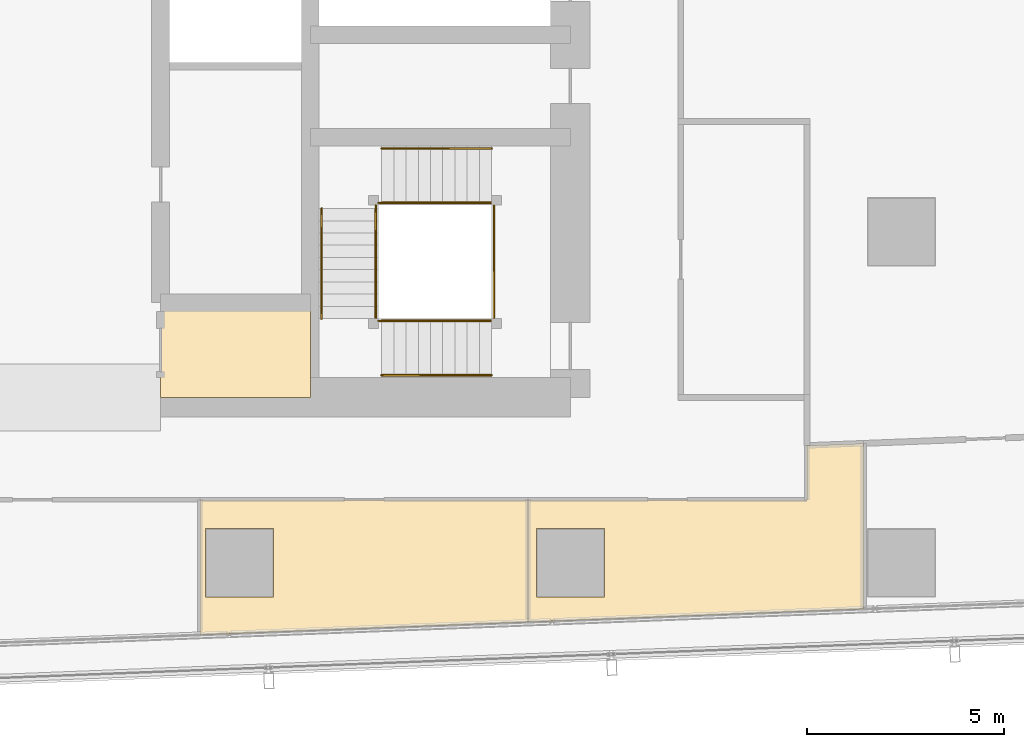
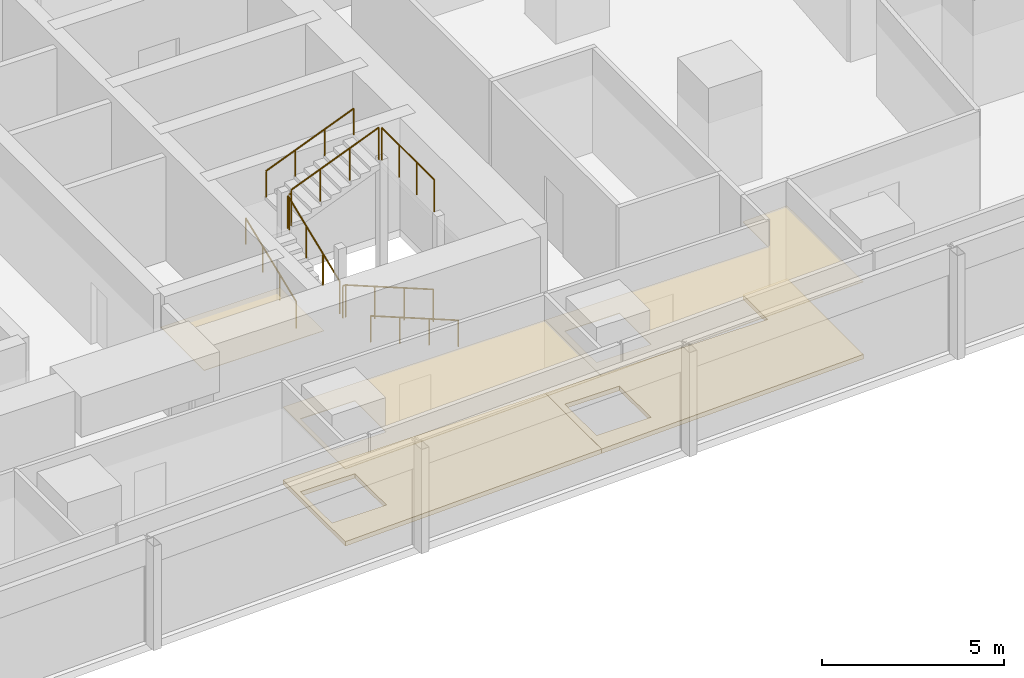
# One storey, part 37 of 40: 10 railings, 5 coverings.
"""IFC4 building model written with IfcOpenShell, lengths in metres."""

from ifc_helpers import new_model, si_unit, direction, frame, origin, origin_2d, place, context, subcontext, project, spatial, polyline, circle, outline, extrude, material, layer, layer_set, type_object, element, save


model = new_model("IFC4")

# Units and contexts
model_context = context("Model", 3, precision=1e-05, world=origin(), true_north=direction((0.0, 1.0)))
body_context = subcontext(model_context, "Body", "Model", "MODEL_VIEW")
ifc_project = project(units=[si_unit("LENGTHUNIT", "METRE"), si_unit("AREAUNIT", "SQUARE_METRE"), si_unit("VOLUMEUNIT", "CUBIC_METRE"), si_unit("PLANEANGLEUNIT", "RADIAN"), si_unit("MASSUNIT", "GRAM", prefix="KILO")], contexts=[model_context])

# Site, building, storey
site_placement = place(None, origin())
site = spatial("IfcSite", under=ifc_project, at=site_placement, CompositionType="ELEMENT")
building_placement = place(site_placement, origin())
building = spatial("IfcBuilding", under=site, at=building_placement, Name="Rekha Terrace Tower", CompositionType="ELEMENT")
storey_placement = place(building_placement, frame((0.0, 0.0, 125.300048828125)))
storey = spatial("IfcBuildingStorey", under=building, at=storey_placement, Name="L31", CompositionType="ELEMENT", Elevation=125.300048828125)

# Coverings
ifc_material_1 = material(Name="Mineral fibre tile in exposed grid", Category="finish")
ifc_layer_1 = layer(ifc_material_1, 0.02001953125)
ifc_layer_set_1 = layer_set([ifc_layer_1], Name="Mineral fibre tile in exposed grid")
covering_type_1 = type_object("IfcCoveringType", Name="CL1 600x1200 office grid ceiling", PredefinedType="CEILING", material=ifc_layer_set_1)
covering_1_placement = place(storey_placement, frame((0.0, 0.0, 2.579833984375)))
element("IfcCovering", 1, at=covering_1_placement, inside=storey, type_object=covering_type_1, Name="Ceiling L31-16", PredefinedType="CEILING", context=body_context, shape_type="SweptSolid", body=[
    extrude(outline(polyline([(41.001953125, 18.39990234375), (41.001953125, 14.970947265625), (49.3291015625, 15.294921875), (49.3291015625, 18.39990234375), (41.001953125, 18.39990234375)]), holes=[polyline([(42.864990234375, 17.6650390625), (42.864990234375, 15.93505859375), (41.135009765625, 15.93505859375), (41.135009765625, 17.6650390625), (42.864990234375, 17.6650390625)])]), origin(), (0.0, 0.0, 1.0), 0.02001953125),
])
covering_2_placement = place(storey_placement, frame((0.0, 0.0, 2.579833984375)))
element("IfcCovering", 2, at=covering_2_placement, inside=storey, type_object=covering_type_1, Name="Ceiling L31-17", PredefinedType="CEILING", context=body_context, shape_type="SweptSolid", body=[
    extrude(outline(polyline([(57.8359375, 15.6259765625), (57.8359375, 19.830078125), (56.39990234375, 19.77392578125), (56.39990234375, 18.39990234375), (49.330078125, 18.39990234375), (49.330078125, 15.294921875), (57.8359375, 15.6259765625)]), holes=[polyline([(51.264892578125, 15.93505859375), (49.534912109375, 15.93505859375), (49.534912109375, 17.6650390625), (51.264892578125, 17.6650390625), (51.264892578125, 15.93505859375)])]), origin(), (0.0, 0.0, 1.0), 0.02001953125),
])
ifc_material_2 = material(Name="Fibre cement board", Category="finish")
ifc_layer_2 = layer(ifc_material_2, 0.014892578125)
ifc_layer_set_2 = layer_set([ifc_layer_2], Name="Fibre cement board")
covering_type_2 = type_object("IfcCoveringType", Name="CL2 moisture-resistant board ceiling", PredefinedType="CEILING", material=ifc_layer_set_2)
covering_3_placement = place(storey_placement, frame((0.0, 0.0, 2.5849609375)))
element("IfcCovering", 3, at=covering_3_placement, inside=storey, type_object=covering_type_2, Name="Ceiling L31-WCA", PredefinedType="CEILING", context=body_context, shape_type="SweptSolid", body=[
    extrude(outline(polyline([(43.800048828125, 23.39990234375), (40.0, 23.39990234375), (40.0, 21.0), (43.800048828125, 21.0), (43.800048828125, 23.39990234375)])), origin(), (0.0, 0.0, 1.0), 0.014892578125),
])

# Railings
ifc_material_3 = material(Name="Stainless steel balustrade", Category="steel")
railing_type_1 = type_object("IfcRailingType", Name="GR1 1100 stair guard", PredefinedType="GUARDRAIL", material=ifc_material_3)
railing_1_placement = place(storey_placement, frame((48.39990234375, 22.93994140625, 0.125)))
element("IfcRailing", 4, at=railing_1_placement, inside=storey, type_object=railing_type_1, Name="Guard ST3 L31 flight 1", PredefinedType="GUARDRAIL", context=body_context, shape_type="SweptSolid", body=[
    extrude(circle(Radius=0.02392578125, at=origin_2d()), frame((0.0, 0.0, 1.076171875), z_axis=(-0.927431937212, 0.0, 0.373991980981), x_axis=(0.0, -1.0, 0.0)), (0.0, 0.0, 1.0), 3.008056640625),
    extrude(circle(Radius=0.02099609375, at=origin_2d()), origin(), (0.0, 0.0, 1.0), 1.052001953125),
    extrude(circle(Radius=0.02099609375, at=origin_2d()), frame((-0.929931640625, 0.0, 0.375)), (0.0, 0.0, 1.0), 1.052001953125),
    extrude(circle(Radius=0.02099609375, at=origin_2d()), frame((-1.85986328125, 0.0, 0.75)), (0.0, 0.0, 1.0), 1.052001953125),
    extrude(circle(Radius=0.02099609375, at=origin_2d()), frame((-2.789794921875, 0.0, 1.125)), (0.0, 0.0, 1.0), 1.052001953125),
])
railing_2_placement = place(storey_placement, frame((45.465087890625, 23.0, 1.375)))
element("IfcRailing", 5, at=railing_2_placement, inside=storey, type_object=railing_type_1, Name="Guard ST3 L31 flight 2", PredefinedType="GUARDRAIL", context=body_context, shape_type="SweptSolid", body=[
    extrude(circle(Radius=0.02392578125, at=origin_2d()), frame((0.0, 0.0, 1.076171875), z_axis=(0.0, 0.927443287984, 0.373963831907), x_axis=(-1.0, 0.0, 0.0)), (0.0, 0.0, 1.0), 3.00830078125),
    extrude(circle(Radius=0.02099609375, at=origin_2d()), origin(), (0.0, 0.0, 1.0), 1.052001953125),
    extrude(circle(Radius=0.02099609375, at=origin_2d()), frame((0.0, 0.929931640625, 0.375)), (0.0, 0.0, 1.0), 1.052001953125),
    extrude(circle(Radius=0.02099609375, at=origin_2d()), frame((0.0, 1.860107421875, 0.75)), (0.0, 0.0, 1.0), 1.052001953125),
    extrude(circle(Radius=0.02099609375, at=origin_2d()), frame((0.0, 2.7900390625, 1.125)), (0.0, 0.0, 1.0), 1.052001953125),
])
railing_3_placement = place(storey_placement, frame((45.610107421875, 25.93505859375, 2.625)))
element("IfcRailing", 6, at=railing_3_placement, inside=storey, type_object=railing_type_1, Name="Guard ST3 L31 flight 3", PredefinedType="GUARDRAIL", context=body_context, shape_type="SweptSolid", body=[
    extrude(circle(Radius=0.02392578125, at=origin_2d()), frame((0.0, 0.0, 1.076171875), z_axis=(0.927431937212, 0.0, 0.373991980981), x_axis=(0.0, 1.0, 0.0)), (0.0, 0.0, 1.0), 3.008056640625),
    extrude(circle(Radius=0.02099609375, at=origin_2d()), origin(), (0.0, 0.0, 1.0), 1.052001953125),
    extrude(circle(Radius=0.02099609375, at=origin_2d()), frame((0.929931640625, 0.0, 0.375)), (0.0, 0.0, 1.0), 1.052001953125),
    extrude(circle(Radius=0.02099609375, at=origin_2d()), frame((1.85986328125, 0.0, 0.75)), (0.0, 0.0, 1.0), 1.052001953125),
    extrude(circle(Radius=0.02099609375, at=origin_2d()), frame((2.789794921875, 0.0, 1.125)), (0.0, 0.0, 1.0), 1.052001953125),
])
railing_4_placement = place(storey_placement, frame((45.610107421875, 22.93994140625, 1.25)))
element("IfcRailing", 7, at=railing_4_placement, inside=storey, type_object=railing_type_1, Name="Guard ST3 L31 landing 1", PredefinedType="GUARDRAIL", context=body_context, shape_type="SweptSolid", body=[
    extrude(circle(Radius=0.02392578125, at=origin_2d()), frame((0.0, 0.0, 1.076171875), z_axis=(-1.0, 0.0, 0.0), x_axis=(0.0, -1.0, 0.0)), (0.0, 0.0, 1.0), 0.085205078125),
    extrude(circle(Radius=0.02099609375, at=origin_2d()), origin(), (0.0, 0.0, 1.0), 1.052001953125),
    extrude(circle(Radius=0.02099609375, at=origin_2d()), frame((-0.085205078125, 0.0, 0.0)), (0.0, 0.0, 1.0), 1.052001953125),
])
railing_5_placement = place(storey_placement, frame((45.465087890625, 25.7900390625, 2.5)))
element("IfcRailing", 8, at=railing_5_placement, inside=storey, type_object=railing_type_1, Name="Guard ST3 L31 landing 2", PredefinedType="GUARDRAIL", context=body_context, shape_type="SweptSolid", body=[
    extrude(circle(Radius=0.02392578125, at=origin_2d()), frame((0.0, 0.0, 1.076171875), z_axis=(0.0, 1.0, 0.0), x_axis=(-1.0, 0.0, 0.0)), (0.0, 0.0, 1.0), 0.0849609375),
    extrude(circle(Radius=0.02099609375, at=origin_2d()), origin(), (0.0, 0.0, 1.0), 1.052001953125),
    extrude(circle(Radius=0.02099609375, at=origin_2d()), frame((0.0, 0.0849609375, 0.0)), (0.0, 0.0, 1.0), 1.052001953125),
])
railing_6_placement = place(storey_placement, frame((45.610107421875, 25.93505859375, 2.5)))
element("IfcRailing", 9, at=railing_6_placement, inside=storey, type_object=railing_type_1, Name="Guard ST3 L31 landing 3", PredefinedType="GUARDRAIL", context=body_context, shape_type="SweptSolid", body=[
    extrude(circle(Radius=0.02392578125, at=origin_2d()), frame((0.0, 0.0, 1.076171875), z_axis=(-1.0, 0.0, 0.0), x_axis=(0.0, -1.0, 0.0)), (0.0, 0.0, 1.0), 0.085205078125),
    extrude(circle(Radius=0.02099609375, at=origin_2d()), origin(), (0.0, 0.0, 1.0), 1.052001953125),
    extrude(circle(Radius=0.02099609375, at=origin_2d()), frame((-0.085205078125, 0.0, 0.0)), (0.0, 0.0, 1.0), 1.052001953125),
])
railing_7_placement = place(storey_placement, frame((48.4599609375, 23.0, 3.75)))
element("IfcRailing", 10, at=railing_7_placement, inside=storey, type_object=railing_type_1, Name="Guard ST3 L31 landing 4", PredefinedType="GUARDRAIL", context=body_context, shape_type="SweptSolid", body=[
    extrude(circle(Radius=0.02392578125, at=origin_2d()), frame((0.0, 0.0, 1.076171875), z_axis=(0.0, 1.0, 0.0), x_axis=(-1.0, 0.0, 0.0)), (0.0, 0.0, 1.0), 2.875),
    extrude(circle(Radius=0.02099609375, at=origin_2d()), origin(), (0.0, 0.0, 1.0), 1.052001953125),
    extrude(circle(Radius=0.02099609375, at=origin_2d()), frame((0.0, 0.958251953125, 0.0)), (0.0, 0.0, 1.0), 1.052001953125),
    extrude(circle(Radius=0.02099609375, at=origin_2d()), frame((0.0, 1.916748046875, 0.0)), (0.0, 0.0, 1.0), 1.052001953125),
    extrude(circle(Radius=0.02099609375, at=origin_2d()), frame((0.0, 2.875, 0.0)), (0.0, 0.0, 1.0), 1.052001953125),
])
ifc_material_4 = material(Name="Stainless steel tube", Category="steel")
railing_type_2 = type_object("IfcRailingType", Name="HR1 900 stair handrail", PredefinedType="HANDRAIL", material=ifc_material_4)
railing_8_placement = place(storey_placement, frame((48.39990234375, 21.56005859375, 0.125)))
element("IfcRailing", 11, at=railing_8_placement, inside=storey, type_object=railing_type_2, Name="Handrail ST3 L31 flight 1", PredefinedType="HANDRAIL", context=body_context, shape_type="SweptSolid", body=[
    extrude(circle(Radius=0.02392578125, at=origin_2d()), frame((0.0, 0.0, 0.8759765625), z_axis=(-0.927431937212, 0.0, 0.373991980981), x_axis=(0.0, -1.0, 0.0)), (0.0, 0.0, 1.0), 3.008056640625),
    extrude(circle(Radius=0.02099609375, at=origin_2d()), origin(), (0.0, 0.0, 1.0), 0.851806640625),
    extrude(circle(Radius=0.02099609375, at=origin_2d()), frame((-0.929931640625, 0.0, 0.375)), (0.0, 0.0, 1.0), 0.851806640625),
    extrude(circle(Radius=0.02099609375, at=origin_2d()), frame((-1.85986328125, 0.0, 0.75)), (0.0, 0.0, 1.0), 0.851806640625),
    extrude(circle(Radius=0.02099609375, at=origin_2d()), frame((-2.789794921875, 0.0, 1.125)), (0.0, 0.0, 1.0), 0.851806640625),
])
railing_9_placement = place(storey_placement, frame((44.0849609375, 23.0, 1.375)))
element("IfcRailing", 12, at=railing_9_placement, inside=storey, type_object=railing_type_2, Name="Handrail ST3 L31 flight 2", PredefinedType="HANDRAIL", context=body_context, shape_type="SweptSolid", body=[
    extrude(circle(Radius=0.02392578125, at=origin_2d()), frame((0.0, 0.0, 0.8759765625), z_axis=(0.0, 0.927443287984, 0.373963831907), x_axis=(-1.0, 0.0, 0.0)), (0.0, 0.0, 1.0), 3.00830078125),
    extrude(circle(Radius=0.02099609375, at=origin_2d()), origin(), (0.0, 0.0, 1.0), 0.851806640625),
    extrude(circle(Radius=0.02099609375, at=origin_2d()), frame((0.0, 0.929931640625, 0.375)), (0.0, 0.0, 1.0), 0.851806640625),
    extrude(circle(Radius=0.02099609375, at=origin_2d()), frame((0.0, 1.860107421875, 0.75)), (0.0, 0.0, 1.0), 0.851806640625),
    extrude(circle(Radius=0.02099609375, at=origin_2d()), frame((0.0, 2.7900390625, 1.125)), (0.0, 0.0, 1.0), 0.851806640625),
])
railing_10_placement = place(storey_placement, frame((45.610107421875, 27.31494140625, 2.625)))
element("IfcRailing", 13, at=railing_10_placement, inside=storey, type_object=railing_type_2, Name="Handrail ST3 L31 flight 3", PredefinedType="HANDRAIL", context=body_context, shape_type="SweptSolid", body=[
    extrude(circle(Radius=0.02392578125, at=origin_2d()), frame((0.0, 0.0, 0.8759765625), z_axis=(0.927431937212, 0.0, 0.373991980981), x_axis=(0.0, 1.0, 0.0)), (0.0, 0.0, 1.0), 3.008056640625),
    extrude(circle(Radius=0.02099609375, at=origin_2d()), origin(), (0.0, 0.0, 1.0), 0.851806640625),
    extrude(circle(Radius=0.02099609375, at=origin_2d()), frame((0.929931640625, 0.0, 0.375)), (0.0, 0.0, 1.0), 0.851806640625),
    extrude(circle(Radius=0.02099609375, at=origin_2d()), frame((1.85986328125, 0.0, 0.75)), (0.0, 0.0, 1.0), 0.851806640625),
    extrude(circle(Radius=0.02099609375, at=origin_2d()), frame((2.789794921875, 0.0, 1.125)), (0.0, 0.0, 1.0), 0.851806640625),
])

# Coverings
ifc_material_5 = material(Name="Calcium sulphate panels on steel pedestals", Category="steel")
ifc_layer_3 = layer(ifc_material_5, 0.14990234375)
ifc_layer_set_3 = layer_set([ifc_layer_3], Name="Calcium sulphate panels on steel pedestals")
covering_type_3 = type_object("IfcCoveringType", Name="RF1 150 raised access floor", PredefinedType="FLOORING", material=ifc_layer_set_3)
covering_4_placement = place(storey_placement, origin())
element("IfcCovering", 14, at=covering_4_placement, inside=storey, type_object=covering_type_3, Name="Raised floor L31-16", PredefinedType="FLOORING", context=body_context, shape_type="SweptSolid", body=[
    extrude(outline(polyline([(41.001953125, 18.39990234375), (41.001953125, 14.970947265625), (49.3291015625, 15.294921875), (49.3291015625, 18.39990234375), (41.001953125, 18.39990234375)]), holes=[polyline([(42.864990234375, 17.6650390625), (42.864990234375, 15.93505859375), (41.135009765625, 15.93505859375), (41.135009765625, 17.6650390625), (42.864990234375, 17.6650390625)])]), origin(), (0.0, 0.0, 1.0), 0.14990234375),
])
covering_5_placement = place(storey_placement, origin())
element("IfcCovering", 15, at=covering_5_placement, inside=storey, type_object=covering_type_3, Name="Raised floor L31-17", PredefinedType="FLOORING", context=body_context, shape_type="SweptSolid", body=[
    extrude(outline(polyline([(57.8359375, 15.6259765625), (57.8359375, 19.830078125), (56.39990234375, 19.77392578125), (56.39990234375, 18.39990234375), (49.330078125, 18.39990234375), (49.330078125, 15.294921875), (57.8359375, 15.6259765625)]), holes=[polyline([(51.264892578125, 15.93505859375), (49.534912109375, 15.93505859375), (49.534912109375, 17.6650390625), (51.264892578125, 17.6650390625), (51.264892578125, 15.93505859375)])]), origin(), (0.0, 0.0, 1.0), 0.14990234375),
])

save(model, "model.ifc")
